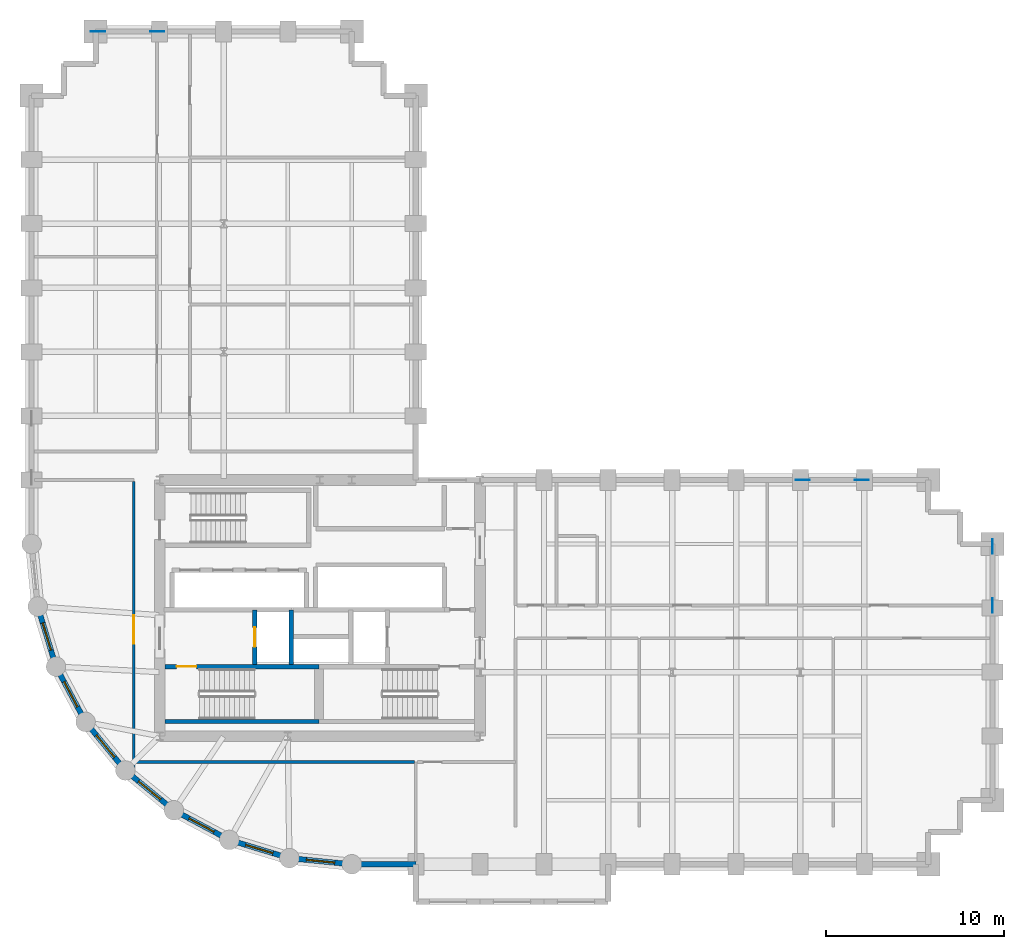
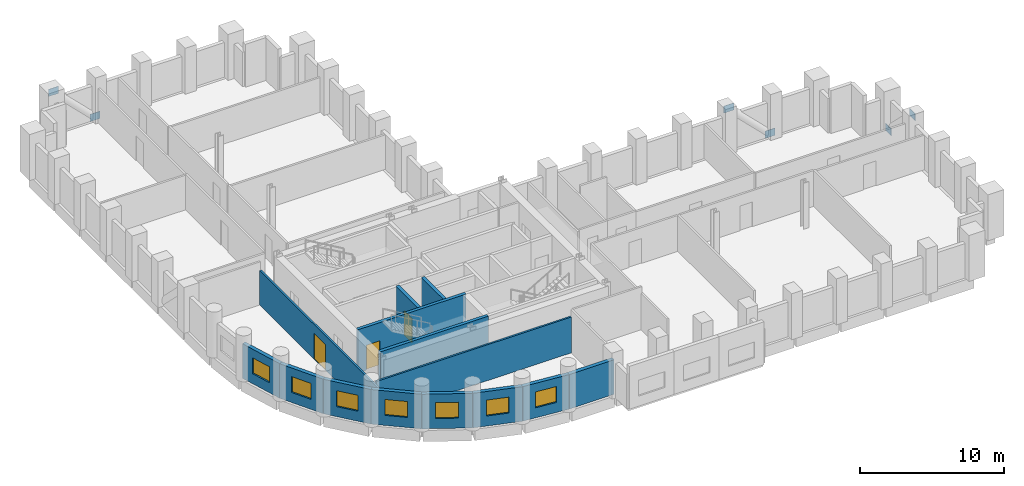
# One storey, part 5 of 9: 14 walls, 7 windows, 6 plates, 3 doors, 10 openings.
"""IFC4 building model written with IfcOpenShell, lengths in metres."""

from ifc_helpers import new_model, si_unit, direction, frame, frame_2d, origin, origin_2d, place, context, subcontext, project, spatial, rectangle, extrude, material, layer, layer_set, type_object, element, fill, save


model = new_model("IFC4")

# Units and contexts
model_context = context("Model", 3, precision=1e-05, world=origin(), true_north=direction((0.0, 1.0)))
body_context = subcontext(model_context, "Body", "Model", "MODEL_VIEW")
ifc_project = project(units=[si_unit("LENGTHUNIT", "METRE"), si_unit("AREAUNIT", "SQUARE_METRE"), si_unit("VOLUMEUNIT", "CUBIC_METRE"), si_unit("PLANEANGLEUNIT", "RADIAN"), si_unit("MASSUNIT", "GRAM", prefix="KILO")], contexts=[model_context])

# Site, building, storey
site_placement = place(None, origin())
site = spatial("IfcSite", under=ifc_project, at=site_placement, CompositionType="ELEMENT")
building_placement = place(site_placement, origin())
building = spatial("IfcBuilding", under=site, at=building_placement, Name="Solnavia Interchange Tower", CompositionType="ELEMENT")
storey_placement = place(building_placement, frame((0.0, 0.0, 59.10009765625)))
storey = spatial("IfcBuildingStorey", under=building, at=storey_placement, Name="L14", CompositionType="ELEMENT", Elevation=59.10009765625)

# Plates
ifc_material_1 = material(Name="Steel S460", Category="steel")
ifc_layer_1 = layer(ifc_material_1, 0.035888671875)
ifc_layer_set_1 = layer_set([ifc_layer_1], Name="Steel S460")
plate_type = type_object("IfcPlateType", Name="Plate-Gusset-800x600x36", PredefinedType="USERDEFINED", material=ifc_layer_set_1)
for number, where, z_axis, x_axis, name in (
    (1, (61.199951171875, 21.4599609375, -0.1201171875), (0.0, 0.0, 1.0), (0.0, -1.0, 0.0), "PLT-L14-GP03 Perimeter brace gusset plate"),
    (2, (61.199951171875, 18.139892578125, 3.169921875), (0.0, 0.0, 1.0), (0.0, -1.0, 0.0), "PLT-L14-GP04 Perimeter brace gusset plate"),
    (3, (14.260009765625, 50.39990234375, -0.1201171875), (0.0, 0.0, 1.0), (-1.0, 0.0, 0.0), "PLT-L14-GP05 Perimeter brace gusset plate"),
    (4, (10.93994140625, 50.39990234375, 3.169921875), (0.0, 0.0, 1.0), (-1.0, 0.0, 0.0), "PLT-L14-GP06 Perimeter brace gusset plate"),
    (5, (53.860107421875, 25.199951171875, -0.1201171875), (0.0, 0.0, 1.0), (-1.0, 0.0, 0.0), "PLT-L14-GP07 Perimeter brace gusset plate"),
    (6, (50.5400390625, 25.199951171875, 3.169921875), (0.0, 0.0, 1.0), (-1.0, 0.0, 0.0), "PLT-L14-GP08 Perimeter brace gusset plate"),
):
    element("IfcPlate", number, at=place(storey_placement, frame(where, z_axis=z_axis, x_axis=x_axis)), inside=storey, type_object=plate_type, Name=name, ObjectType="GUSSET PLATE", PredefinedType="USERDEFINED", context=body_context, shape_type="SweptSolid", body=[
        extrude(rectangle(XDim=0.800048828125, YDim=0.035888671875, at=origin_2d()), origin(), (0.0, 0.0, 1.0), 0.60009765625),
    ])

# Wall
ifc_material_2 = material(Name="Concrete C40/50", Category="concrete")
ifc_layer_2 = layer(ifc_material_2, 0.300048828125)
ifc_layer_set_2 = layer_set([ifc_layer_2], Name="Concrete C40/50")
wall_type_1 = type_object("IfcWallType", Name="Wall-ExtSpandrel-300", PredefinedType="STANDARD", material=ifc_layer_set_2)
wall_1_placement = place(storey_placement, frame((28.800048828125, 3.60009765625, 0.0), z_axis=(0.0, 0.0, 1.0), x_axis=(-1.0, 0.0, 0.0)))
element("IfcWall", 7, at=wall_1_placement, inside=storey, type_object=wall_type_1, Name="EXW-L14-01 Exterior precast spandrel wall", PredefinedType="STANDARD", context=body_context, shape_type="SweptSolid", body=[
    extrude(rectangle(XDim=3.60009765625, YDim=0.300048828125, at=frame_2d((1.800048828125, 0.0))), origin(), (0.0, 0.0, 1.0), 2.929931640625),
])

# Wall, opening, window
wall_2_placement = place(storey_placement, frame((8.570068359375, 14.7119140625, 0.0), z_axis=(0.0, 0.0, 1.0), x_axis=(-0.290305086481, 0.956934144423, 0.0)))
wall_2 = element("IfcWall", 8, at=wall_2_placement, inside=storey, type_object=wall_type_1, Name="EXW-L14-58 Exterior precast spandrel wall", PredefinedType="STANDARD", context=body_context, shape_type="SweptSolid", body=[
    extrude(rectangle(XDim=3.52783203125, YDim=0.300048828125, at=frame_2d((1.763916015625, 0.0))), origin(), (0.0, 0.0, 1.0), 2.929931640625),
])
opening_1_placement = place(wall_2_placement, frame((0.964111328125, 0.0, 0.85009765625)))
opening_1 = element("IfcOpeningElement", 9, at=opening_1_placement, cuts=wall_2, Name="Opening WIN-04", PredefinedType="OPENING", context=body_context, shape_type="SweptSolid", body=[
    extrude(rectangle(XDim=1.60009765625, YDim=1.35009765625, at=frame_2d((0.800048828125, 0.675048828125))), frame((0.0, 0.16015625, 0.0), z_axis=(0.0, -1.0, 0.0), x_axis=(1.0, 0.0, 0.0)), (0.0, 0.0, 1.0), 0.320068359375),
])
ifc_material_3 = material(Name="Thermal-Break Aluminium & Low-E Glass", Category="aluminium")
window_type = type_object("IfcWindowType", Name="Window-Drum-1600x1350", PartitioningType="SINGLE_PANEL", PredefinedType="WINDOW", material=ifc_material_3)
window_1_placement = place(opening_1_placement, origin())
window_1 = element("IfcWindow", 10, at=window_1_placement, inside=storey, type_object=window_type, Name="WIN-L14-58 Facade ribbon window", OverallHeight=1.35009765625, OverallWidth=1.60009765625, PartitioningType="SINGLE_PANEL", PredefinedType="WINDOW", context=body_context, shape_type="SweptSolid", body=[
    extrude(rectangle(XDim=1.60009765625, YDim=1.35009765625, at=frame_2d((0.800048828125, 0.675048828125))), frame((0.0, 0.030029296875, 0.0), z_axis=(0.0, -1.0, 0.0), x_axis=(1.0, 0.0, 0.0)), (0.0, 0.0, 1.0), 0.06005859375),
])
fill(opening_1, window_1)

wall_3_placement = place(storey_placement, frame((10.23388671875, 11.60009765625, 0.0), z_axis=(0.0, 0.0, 1.0), x_axis=(-0.47151087309, 0.881860247748, 0.0)))
wall_3 = element("IfcWall", 11, at=wall_3_placement, inside=storey, type_object=wall_type_1, Name="EXW-L14-59 Exterior precast spandrel wall", PredefinedType="STANDARD", context=body_context, shape_type="SweptSolid", body=[
    extrude(rectangle(XDim=3.52880859375, YDim=0.300048828125, at=frame_2d((1.764404296875, 0.0))), origin(), (0.0, 0.0, 1.0), 2.929931640625),
])
opening_2_placement = place(wall_3_placement, frame((0.964111328125, 0.0, 0.85009765625)))
opening_2 = element("IfcOpeningElement", 12, at=opening_2_placement, cuts=wall_3, Name="Opening WIN-04", PredefinedType="OPENING", context=body_context, shape_type="SweptSolid", body=[
    extrude(rectangle(XDim=1.60009765625, YDim=1.35009765625, at=frame_2d((0.800048828125, 0.675048828125))), frame((0.0, 0.16015625, 0.0), z_axis=(0.0, -1.0, 0.0), x_axis=(1.0, 0.0, 0.0)), (0.0, 0.0, 1.0), 0.320068359375),
])
window_2_placement = place(opening_2_placement, origin())
window_2 = element("IfcWindow", 13, at=window_2_placement, inside=storey, type_object=window_type, Name="WIN-L14-59 Facade ribbon window", OverallHeight=1.35009765625, OverallWidth=1.60009765625, PartitioningType="SINGLE_PANEL", PredefinedType="WINDOW", context=body_context, shape_type="SweptSolid", body=[
    extrude(rectangle(XDim=1.60009765625, YDim=1.35009765625, at=frame_2d((0.800048828125, 0.675048828125))), frame((0.0, 0.030029296875, 0.0), z_axis=(0.0, -1.0, 0.0), x_axis=(1.0, 0.0, 0.0)), (0.0, 0.0, 1.0), 0.06005859375),
])
fill(opening_2, window_2)

wall_4_placement = place(storey_placement, frame((12.471923828125, 8.8720703125, 0.0), z_axis=(0.0, 0.0, 1.0), x_axis=(-0.634258295121, 0.773121216285, 0.0)))
wall_4 = element("IfcWall", 14, at=wall_4_placement, inside=storey, type_object=wall_type_1, Name="EXW-L14-60 Exterior precast spandrel wall", PredefinedType="STANDARD", context=body_context, shape_type="SweptSolid", body=[
    extrude(rectangle(XDim=3.528564453125, YDim=0.300048828125, at=frame_2d((1.76416015625, 0.0))), origin(), (0.0, 0.0, 1.0), 2.929931640625),
])
opening_3_placement = place(wall_4_placement, frame((0.964111328125, 0.0, 0.85009765625)))
opening_3 = element("IfcOpeningElement", 15, at=opening_3_placement, cuts=wall_4, Name="Opening WIN-04", PredefinedType="OPENING", context=body_context, shape_type="SweptSolid", body=[
    extrude(rectangle(XDim=1.60009765625, YDim=1.35009765625, at=frame_2d((0.800048828125, 0.675048828125))), frame((0.0, 0.16015625, 0.0), z_axis=(0.0, -1.0, 0.0), x_axis=(1.0, 0.0, 0.0)), (0.0, 0.0, 1.0), 0.320068359375),
])
window_3_placement = place(opening_3_placement, origin())
window_3 = element("IfcWindow", 16, at=window_3_placement, inside=storey, type_object=window_type, Name="WIN-L14-60 Facade ribbon window", OverallHeight=1.35009765625, OverallWidth=1.60009765625, PartitioningType="SINGLE_PANEL", PredefinedType="WINDOW", context=body_context, shape_type="SweptSolid", body=[
    extrude(rectangle(XDim=1.60009765625, YDim=1.35009765625, at=frame_2d((0.800048828125, 0.675048828125))), frame((0.0, 0.030029296875, 0.0), z_axis=(0.0, -1.0, 0.0), x_axis=(1.0, 0.0, 0.0)), (0.0, 0.0, 1.0), 0.06005859375),
])
fill(opening_3, window_3)

wall_5_placement = place(storey_placement, frame((15.199951171875, 6.634033203125, 0.0), z_axis=(0.0, 0.0, 1.0), x_axis=(-0.773121216285, 0.634258295121, 0.0)))
wall_5 = element("IfcWall", 17, at=wall_5_placement, inside=storey, type_object=wall_type_1, Name="EXW-L14-61 Exterior precast spandrel wall", PredefinedType="STANDARD", context=body_context, shape_type="SweptSolid", body=[
    extrude(rectangle(XDim=3.528564453125, YDim=0.300048828125, at=frame_2d((1.76416015625, 0.0))), origin(), (0.0, 0.0, 1.0), 2.929931640625),
])
opening_4_placement = place(wall_5_placement, frame((0.964111328125, 0.0, 0.85009765625)))
opening_4 = element("IfcOpeningElement", 18, at=opening_4_placement, cuts=wall_5, Name="Opening WIN-04", PredefinedType="OPENING", context=body_context, shape_type="SweptSolid", body=[
    extrude(rectangle(XDim=1.60009765625, YDim=1.35009765625, at=frame_2d((0.800048828125, 0.675048828125))), frame((0.0, 0.16015625, 0.0), z_axis=(0.0, -1.0, 0.0), x_axis=(1.0, 0.0, 0.0)), (0.0, 0.0, 1.0), 0.320068359375),
])
window_4_placement = place(opening_4_placement, origin())
window_4 = element("IfcWindow", 19, at=window_4_placement, inside=storey, type_object=window_type, Name="WIN-L14-61 Facade ribbon window", OverallHeight=1.35009765625, OverallWidth=1.60009765625, PartitioningType="SINGLE_PANEL", PredefinedType="WINDOW", context=body_context, shape_type="SweptSolid", body=[
    extrude(rectangle(XDim=1.60009765625, YDim=1.35009765625, at=frame_2d((0.800048828125, 0.675048828125))), frame((0.0, 0.030029296875, 0.0), z_axis=(0.0, -1.0, 0.0), x_axis=(1.0, 0.0, 0.0)), (0.0, 0.0, 1.0), 0.06005859375),
])
fill(opening_4, window_4)

wall_6_placement = place(storey_placement, frame((18.31201171875, 4.969970703125, 0.0), z_axis=(0.0, 0.0, 1.0), x_axis=(-0.881846862014, 0.471535907389, 0.0)))
wall_6 = element("IfcWall", 20, at=wall_6_placement, inside=storey, type_object=wall_type_1, Name="EXW-L14-62 Exterior precast spandrel wall", PredefinedType="STANDARD", context=body_context, shape_type="SweptSolid", body=[
    extrude(rectangle(XDim=3.529052734375, YDim=0.300048828125, at=frame_2d((1.7646484375, 0.0))), origin(), (0.0, 0.0, 1.0), 2.929931640625),
])
opening_5_placement = place(wall_6_placement, frame((0.964111328125, 0.0, 0.85009765625)))
opening_5 = element("IfcOpeningElement", 21, at=opening_5_placement, cuts=wall_6, Name="Opening WIN-04", PredefinedType="OPENING", context=body_context, shape_type="SweptSolid", body=[
    extrude(rectangle(XDim=1.60009765625, YDim=1.35009765625, at=frame_2d((0.800048828125, 0.675048828125))), frame((0.0, 0.16015625, 0.0), z_axis=(0.0, -1.0, 0.0), x_axis=(1.0, 0.0, 0.0)), (0.0, 0.0, 1.0), 0.320068359375),
])
window_5_placement = place(opening_5_placement, origin())
window_5 = element("IfcWindow", 22, at=window_5_placement, inside=storey, type_object=window_type, Name="WIN-L14-62 Facade ribbon window", OverallHeight=1.35009765625, OverallWidth=1.60009765625, PartitioningType="SINGLE_PANEL", PredefinedType="WINDOW", context=body_context, shape_type="SweptSolid", body=[
    extrude(rectangle(XDim=1.60009765625, YDim=1.35009765625, at=frame_2d((0.800048828125, 0.675048828125))), frame((0.0, 0.030029296875, 0.0), z_axis=(0.0, -1.0, 0.0), x_axis=(1.0, 0.0, 0.0)), (0.0, 0.0, 1.0), 0.06005859375),
])
fill(opening_5, window_5)

wall_7_placement = place(storey_placement, frame((21.68798828125, 3.946044921875, 0.0), z_axis=(0.0, 0.0, 1.0), x_axis=(-0.956953367403, 0.290241714123, 0.0)))
wall_7 = element("IfcWall", 23, at=wall_7_placement, inside=storey, type_object=wall_type_1, Name="EXW-L14-63 Exterior precast spandrel wall", PredefinedType="STANDARD", context=body_context, shape_type="SweptSolid", body=[
    extrude(rectangle(XDim=3.52783203125, YDim=0.300048828125, at=frame_2d((1.763916015625, 0.0))), origin(), (0.0, 0.0, 1.0), 2.929931640625),
])
opening_6_placement = place(wall_7_placement, frame((0.964111328125, 0.0, 0.85009765625)))
opening_6 = element("IfcOpeningElement", 24, at=opening_6_placement, cuts=wall_7, Name="Opening WIN-04", PredefinedType="OPENING", context=body_context, shape_type="SweptSolid", body=[
    extrude(rectangle(XDim=1.60009765625, YDim=1.35009765625, at=frame_2d((0.800048828125, 0.675048828125))), frame((0.0, 0.16015625, 0.0), z_axis=(0.0, -1.0, 0.0), x_axis=(1.0, 0.0, 0.0)), (0.0, 0.0, 1.0), 0.320068359375),
])
window_6_placement = place(opening_6_placement, origin())
window_6 = element("IfcWindow", 25, at=window_6_placement, inside=storey, type_object=window_type, Name="WIN-L14-63 Facade ribbon window", OverallHeight=1.35009765625, OverallWidth=1.60009765625, PartitioningType="SINGLE_PANEL", PredefinedType="WINDOW", context=body_context, shape_type="SweptSolid", body=[
    extrude(rectangle(XDim=1.60009765625, YDim=1.35009765625, at=frame_2d((0.800048828125, 0.675048828125))), frame((0.0, 0.030029296875, 0.0), z_axis=(0.0, -1.0, 0.0), x_axis=(1.0, 0.0, 0.0)), (0.0, 0.0, 1.0), 0.06005859375),
])
fill(opening_6, window_6)

wall_8_placement = place(storey_placement, frame((25.199951171875, 3.60009765625, 0.0), z_axis=(0.0, 0.0, 1.0), x_axis=(-0.995183369056, 0.098030923459, 0.0)))
wall_8 = element("IfcWall", 26, at=wall_8_placement, inside=storey, type_object=wall_type_1, Name="EXW-L14-64 Exterior precast spandrel wall", PredefinedType="STANDARD", context=body_context, shape_type="SweptSolid", body=[
    extrude(rectangle(XDim=3.529052734375, YDim=0.300048828125, at=frame_2d((1.7646484375, 0.0))), origin(), (0.0, 0.0, 1.0), 2.929931640625),
])
opening_7_placement = place(wall_8_placement, frame((0.965087890625, 0.0, 0.85009765625)))
opening_7 = element("IfcOpeningElement", 27, at=opening_7_placement, cuts=wall_8, Name="Opening WIN-04", PredefinedType="OPENING", context=body_context, shape_type="SweptSolid", body=[
    extrude(rectangle(XDim=1.60009765625, YDim=1.35009765625, at=frame_2d((0.800048828125, 0.675048828125))), frame((0.0, 0.16015625, 0.0), z_axis=(0.0, -1.0, 0.0), x_axis=(1.0, 0.0, 0.0)), (0.0, 0.0, 1.0), 0.320068359375),
])
window_7_placement = place(opening_7_placement, origin())
window_7 = element("IfcWindow", 28, at=window_7_placement, inside=storey, type_object=window_type, Name="WIN-L14-64 Facade ribbon window", OverallHeight=1.35009765625, OverallWidth=1.60009765625, PartitioningType="SINGLE_PANEL", PredefinedType="WINDOW", context=body_context, shape_type="SweptSolid", body=[
    extrude(rectangle(XDim=1.60009765625, YDim=1.35009765625, at=frame_2d((0.800048828125, 0.675048828125))), frame((0.0, 0.030029296875, 0.0), z_axis=(0.0, -1.0, 0.0), x_axis=(1.0, 0.0, 0.0)), (0.0, 0.0, 1.0), 0.06005859375),
])
fill(opening_7, window_7)

# Wall, opening, door
ifc_material_4 = material(Name="Gypsum Plasterboard & Steel Stud", Category="steel")
ifc_layer_3 = layer(ifc_material_4, 0.14990234375)
ifc_layer_set_3 = layer_set([ifc_layer_3], Name="Gypsum Plasterboard & Steel Stud")
wall_type_2 = type_object("IfcWallType", Name="Wall-Partition-150", PredefinedType="PARTITIONING", material=ifc_layer_set_3)
wall_9_placement = place(storey_placement, frame((12.949951171875, 8.6337890625, 0.0), z_axis=(0.0, 0.0, 1.0), x_axis=(0.0, 1.0, 0.0)))
wall_9 = element("IfcWall", 29, at=wall_9_placement, inside=storey, type_object=wall_type_2, Name="PTW-L14-09 Interior partition wall", PredefinedType="PARTITIONING", context=body_context, shape_type="SweptSolid", body=[
    extrude(rectangle(XDim=16.4873046875, YDim=0.14990234375, at=frame_2d((8.24365234375, 0.0))), origin(), (0.0, 0.0, 1.0), 2.929931640625),
])
opening_8_placement = place(wall_9_placement, frame((7.365966796875, 0.0, 0.0)))
opening_8 = element("IfcOpeningElement", 30, at=opening_8_placement, cuts=wall_9, Name="Opening DR-08", PredefinedType="OPENING", context=body_context, shape_type="SweptSolid", body=[
    extrude(rectangle(XDim=1.60009765625, YDim=2.199951171875, at=frame_2d((0.800048828125, 1.10009765625))), frame((0.0, 0.0849609375, 0.0), z_axis=(0.0, -1.0, 0.0), x_axis=(1.0, 0.0, 0.0)), (0.0, 0.0, 1.0), 0.169921875),
])
ifc_material_5 = material(Name="Thermally Broken Aluminium & Toughened Glass", Category="aluminium")
door_type_1 = type_object("IfcDoorType", Name="Door-RetailDouble-1600x2200", OperationType="DOUBLE_DOOR_SINGLE_SWING", PredefinedType="DOOR", material=ifc_material_5)
door_1_placement = place(opening_8_placement, origin())
door_1 = element("IfcDoor", 31, at=door_1_placement, inside=storey, type_object=door_type_1, Name="DR-L14-03 Interior room door", OperationType="DOUBLE_DOOR_SINGLE_SWING", OverallHeight=2.199951171875, OverallWidth=1.60009765625, PredefinedType="DOOR", context=body_context, shape_type="SweptSolid", body=[
    extrude(rectangle(XDim=1.60009765625, YDim=2.199951171875, at=frame_2d((0.800048828125, 1.10009765625))), frame((0.0, 0.02490234375, 0.0), z_axis=(0.0, -1.0, 0.0), x_axis=(1.0, 0.0, 0.0)), (0.0, 0.0, 1.0), 0.050048828125),
])
fill(opening_8, door_1)

# Walls
wall_10_placement = place(storey_placement, frame((13.080078125, 9.35009765625, 0.0), z_axis=(0.0, 0.0, 1.0), x_axis=(1.0, 0.0, 0.0)))
element("IfcWall", 32, at=wall_10_placement, inside=storey, type_object=wall_type_2, Name="PTW-L14-10 Interior partition wall", PredefinedType="PARTITIONING", context=body_context, shape_type="SweptSolid", body=[
    extrude(rectangle(XDim=15.640869140625, YDim=0.14990234375, at=frame_2d((7.8203125, 0.0))), origin(), (0.0, 0.0, 1.0), 3.039794921875),
])
ifc_layer_4 = layer(ifc_material_2, 0.25)
ifc_layer_set_4 = layer_set([ifc_layer_4], Name="Concrete C40/50")
wall_type_3 = type_object("IfcWallType", Name="Wall-ShaftCore-250", PredefinedType="SHEAR", material=ifc_layer_set_4)
wall_11_placement = place(storey_placement, frame((14.699951171875, 11.625, 0.0), z_axis=(0.0, 0.0, 1.0), x_axis=(1.0, 0.0, 0.0)))
element("IfcWall", 33, at=wall_11_placement, inside=storey, type_object=wall_type_3, Name="SHW-L14-ST1S Core shear wall", PredefinedType="SHEAR", context=body_context, shape_type="SweptSolid", body=[
    extrude(rectangle(XDim=8.650146484375, YDim=0.25, at=frame_2d((4.3251953125, 0.0))), origin(), (0.0, 0.0, 1.0), 3.64990234375),
])

# Wall, opening, door
wall_12_placement = place(storey_placement, frame((14.699951171875, 14.715087890625, 0.0), z_axis=(0.0, 0.0, 1.0), x_axis=(1.0, 0.0, 0.0)))
wall_12 = element("IfcWall", 34, at=wall_12_placement, inside=storey, type_object=wall_type_3, Name="SHW-L14-ST1N Core shear wall", PredefinedType="SHEAR", context=body_context, shape_type="SweptSolid", body=[
    extrude(rectangle(XDim=8.650146484375, YDim=0.25, at=frame_2d((4.3251953125, 0.0))), origin(), (0.0, 0.0, 1.0), 3.64990234375),
])
opening_9_placement = place(wall_12_placement, frame((0.655029296875, 0.0, 0.0)))
opening_9 = element("IfcOpeningElement", 35, at=opening_9_placement, cuts=wall_12, Name="Opening DR-01", PredefinedType="OPENING", context=body_context, shape_type="SweptSolid", body=[
    extrude(rectangle(XDim=1.10009765625, YDim=2.10009765625, at=frame_2d((0.550048828125, 1.050048828125))), frame((0.0, 0.135009765625, 0.0), z_axis=(0.0, -1.0, 0.0), x_axis=(1.0, 0.0, 0.0)), (0.0, 0.0, 1.0), 0.27001953125),
])
ifc_material_6 = material(Name="Steel Fire-Rated Leaf & Frame", Category="steel")
door_type_2 = type_object("IfcDoorType", Name="Door-StairFire-1100x2100", OperationType="SINGLE_SWING_LEFT", PredefinedType="DOOR", material=ifc_material_6)
door_2_placement = place(opening_9_placement, origin())
door_2 = element("IfcDoor", 36, at=door_2_placement, inside=storey, type_object=door_type_2, Name="DR-L14-ST1 Core fire door", OperationType="SINGLE_SWING_LEFT", OverallHeight=2.10009765625, OverallWidth=1.10009765625, PredefinedType="DOOR", context=body_context, shape_type="SweptSolid", body=[
    extrude(rectangle(XDim=1.10009765625, YDim=2.10009765625, at=frame_2d((0.550048828125, 1.050048828125))), frame((0.0, 0.02490234375, 0.0), z_axis=(0.0, -1.0, 0.0), x_axis=(1.0, 0.0, 0.0)), (0.0, 0.0, 1.0), 0.050048828125),
])
fill(opening_9, door_2)

ifc_layer_5 = layer(ifc_material_2, 0.25)
ifc_layer_set_5 = layer_set([ifc_layer_5], Name="Concrete C40/50")
wall_type_4 = type_object("IfcWallType", Name="Wall-ShaftPart-250", PredefinedType="PARTITIONING", material=ifc_layer_set_5)
wall_13_placement = place(storey_placement, frame((19.75, 14.840087890625, 0.0), z_axis=(0.0, 0.0, 1.0), x_axis=(0.0, 1.0, 0.0)))
wall_13 = element("IfcWall", 37, at=wall_13_placement, inside=storey, type_object=wall_type_4, Name="SHW-L14-FFL1-W Core shaft wall", PredefinedType="PARTITIONING", context=body_context, shape_type="SweptSolid", body=[
    extrude(rectangle(XDim=3.059814453125, YDim=0.25, at=frame_2d((1.52978515625, 0.0))), origin(), (0.0, 0.0, 1.0), 3.635009765625),
])
opening_10_placement = place(wall_13_placement, frame((0.97998046875, 0.0, 0.0)))
opening_10 = element("IfcOpeningElement", 38, at=opening_10_placement, cuts=wall_13, Name="Opening LD-01", PredefinedType="OPENING", context=body_context, shape_type="SweptSolid", body=[
    extrude(rectangle(XDim=1.10009765625, YDim=2.10009765625, at=frame_2d((0.550048828125, 1.050048828125))), frame((0.0, 0.135009765625, 0.0), z_axis=(0.0, -1.0, 0.0), x_axis=(1.0, 0.0, 0.0)), (0.0, 0.0, 1.0), 0.27001953125),
])
ifc_material_7 = material(Name="Brushed Stainless Steel Sliding Door", Category="steel")
door_type_3 = type_object("IfcDoorType", Name="Door-LiftLanding-1100x2100", OperationType="SLIDING_TO_LEFT", PredefinedType="DOOR", material=ifc_material_7)
door_3_placement = place(opening_10_placement, origin())
door_3 = element("IfcDoor", 39, at=door_3_placement, inside=storey, type_object=door_type_3, Name="LD-L14-FFL1 Lift landing sliding door", OperationType="SLIDING_TO_LEFT", OverallHeight=2.10009765625, OverallWidth=1.10009765625, PredefinedType="DOOR", context=body_context, shape_type="SweptSolid", body=[
    extrude(rectangle(XDim=1.10009765625, YDim=2.10009765625, at=frame_2d((0.550048828125, 1.050048828125))), frame((0.0, 0.02490234375, 0.0), z_axis=(0.0, -1.0, 0.0), x_axis=(1.0, 0.0, 0.0)), (0.0, 0.0, 1.0), 0.050048828125),
])
fill(opening_10, door_3)

# Wall
wall_14_placement = place(storey_placement, frame((21.800048828125, 14.840087890625, 0.0), z_axis=(0.0, 0.0, 1.0), x_axis=(0.0, 1.0, 0.0)))
element("IfcWall", 40, at=wall_14_placement, inside=storey, type_object=wall_type_4, Name="SHW-L14-FFL1-E Core shaft wall", PredefinedType="PARTITIONING", context=body_context, shape_type="SweptSolid", body=[
    extrude(rectangle(XDim=3.059814453125, YDim=0.25, at=frame_2d((1.52978515625, 0.0))), origin(), (0.0, 0.0, 1.0), 3.635009765625),
])

save(model, "model.ifc")
